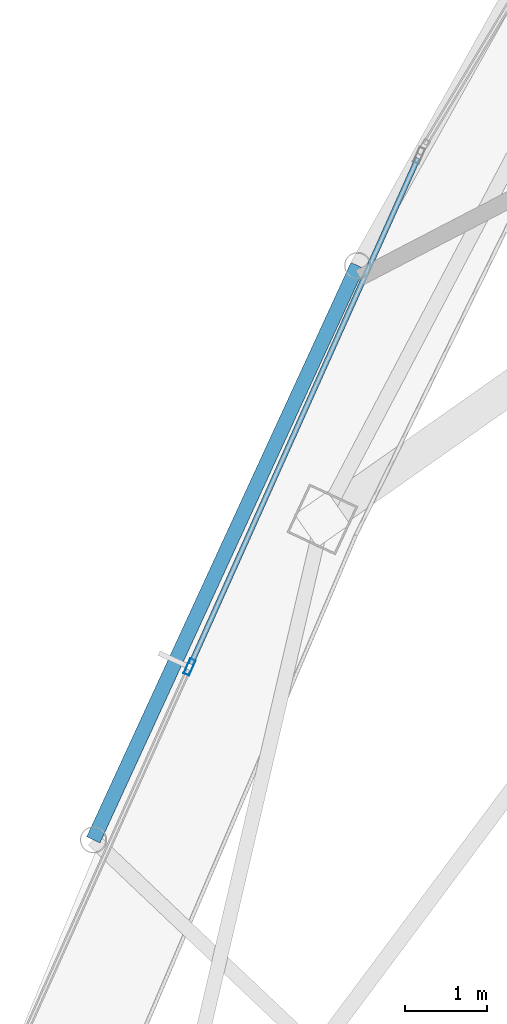
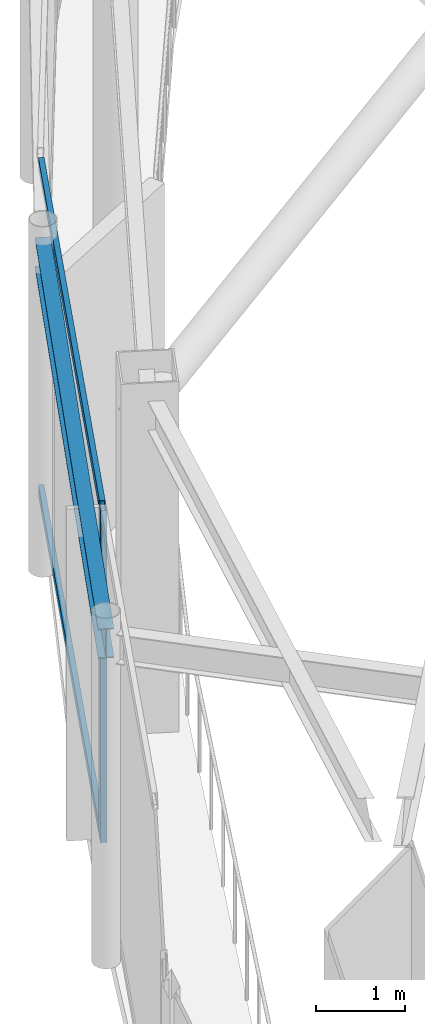
# One storey, part 4 of 20: 3 members, 1 beam, 1 element without a shape of its own.
"""IFC4 building model written with IfcOpenShell, lengths in metres."""

from ifc_helpers import new_model, si_unit, direction, frame, origin, origin_2d, place, context, subcontext, project, spatial, hollow_rectangle, i_section, extrude, material, layer, layer_set, material_profile, profile_set, type_object, element, aggregate, save


model = new_model("IFC4")

# Units and contexts
model_context = context("Model", 3, precision=1e-05, world=origin(), true_north=direction((0.0, 1.0)))
body_context = subcontext(model_context, "Body", "Model", "MODEL_VIEW")
ifc_project = project(units=[si_unit("LENGTHUNIT", "METRE"), si_unit("AREAUNIT", "SQUARE_METRE"), si_unit("VOLUMEUNIT", "CUBIC_METRE"), si_unit("PLANEANGLEUNIT", "RADIAN"), si_unit("MASSUNIT", "GRAM", prefix="KILO")], contexts=[model_context])

# Site, building, storey
site_placement = place(None, origin())
site = spatial("IfcSite", under=ifc_project, at=site_placement, CompositionType="ELEMENT")
building_placement = place(site_placement, origin())
building = spatial("IfcBuilding", under=site, at=building_placement, Name="Orvanel Arch Residences", CompositionType="ELEMENT")
storey_placement = place(building_placement, frame((0.0, 0.0, 305.300048828125)))
storey = spatial("IfcBuildingStorey", under=building, at=storey_placement, Name="L85", CompositionType="ELEMENT", Elevation=305.300048828125)

# Curtain wall, member
ifc_material_1 = material(Name="Bronze-anodised aluminium AA6063-T6", Category="aluminium")
ifc_layer = layer(ifc_material_1, 0.2099609375)
ifc_layer_set = layer_set([ifc_layer], Name="Bronze-anodised aluminium AA6063-T6")
curtain_wall_type = type_object("IfcCurtainWallType", Name="CW7-TOP-SYS", PredefinedType="NOTDEFINED", material=ifc_layer_set)
curtain_wall_placement = place(storey_placement, origin())
curtain_wall = element("IfcCurtainWall", 1, at=curtain_wall_placement, inside=storey, type_object=curtain_wall_type, Name="L85 CW7-TOP-SYS Unitised Curtain Wall", PredefinedType="NOTDEFINED")
ifc_material_profile_1 = material_profile(ifc_material_1, hollow_rectangle(XDim=0.074951171875, YDim=0.199951171875, WallThickness=0.0048828125, at=origin_2d()), Name="ALU200x75x5")
ifc_profile_set_1 = profile_set([ifc_material_profile_1], Name="Bronze-anodised aluminium AA6063-T6")
member_type_1 = type_object("IfcMemberType", Name="MUL-200x75", PredefinedType="MULLION", material=ifc_profile_set_1)
member_1_placement = place(storey_placement, frame((14.75, 17.845947265625, 0.0), z_axis=(0.0, 0.0, 1.0), x_axis=(0.912376147447, -0.40935286193, 0.0)))
member_1 = element("IfcMember", 2, at=member_1_placement, type_object=member_type_1, Name="CW-S7 mullion 2", PredefinedType="MULLION", context=body_context, shape_type="SweptSolid", body=[
    extrude(hollow_rectangle(XDim=0.074951171875, YDim=0.199951171875, WallThickness=0.0048828125, at=origin_2d()), origin(), (0.0, 0.0, 1.0), 4.550048828125),
])

# Beam
ifc_material_2 = material(Name="Structural steel AS/NZS 3679.1 Grade 300 (300 MPa)", Category="steel")
ifc_material_profile_2 = material_profile(ifc_material_2, i_section(OverallWidth=0.177978515625, OverallDepth=0.406005859375, WebThickness=0.0078125, FlangeThickness=0.0126953125, at=origin_2d()), Name="410UB59.7")
ifc_profile_set_2 = profile_set([ifc_material_profile_2], Name="Structural steel AS/NZS 3679.1 Grade 300 (300 MPa)")
beam_type = type_object("IfcBeamType", Name="OB-410UB-EXT", PredefinedType="SPANDREL", material=ifc_profile_set_2)
beam_placement = place(storey_placement, frame((16.794921875, 22.73388671875, 4.346923828125), z_axis=(-0.417937545069, -0.908475761054, 0.0), x_axis=(0.908475761054, -0.417937545069, 0.0)))
element("IfcBeam", 3, at=beam_placement, inside=storey, type_object=beam_type, Name="L85 Outer Perimeter Floor Ring Beam 03", PredefinedType="SPANDREL", context=body_context, shape_type="SweptSolid", body=[
    extrude(i_section(OverallWidth=0.177978515625, OverallDepth=0.406005859375, WebThickness=0.0078125, FlangeThickness=0.0126953125, at=origin_2d()), origin(), (0.0, 0.0, 1.0), 7.697509765625),
])

# Member
ifc_material_profile_3 = material_profile(ifc_material_1, hollow_rectangle(XDim=0.06494140625, YDim=0.14990234375, WallThickness=0.00390625, at=origin_2d()), Name="ALU150x65x4")
ifc_profile_set_3 = profile_set([ifc_material_profile_3], Name="Bronze-anodised aluminium AA6063-T6")
member_type_2 = type_object("IfcMemberType", Name="TRN-150x65", PredefinedType="USERDEFINED", material=ifc_profile_set_3)
member_2_placement = place(storey_placement, frame((17.529296875, 24.04052734375, 0.032470703125), z_axis=(-0.409346580659, -0.912378965618, 0.0), x_axis=(0.912378965618, -0.409346580659, 0.0)))
member_2 = element("IfcMember", 4, at=member_2_placement, type_object=member_type_2, Name="CW-S7 transom 1.1", ObjectType="TRANSOM", PredefinedType="USERDEFINED", context=body_context, shape_type="SweptSolid", body=[
    extrude(hollow_rectangle(XDim=0.06494140625, YDim=0.14990234375, WallThickness=0.00390625, at=origin_2d()), origin(), (0.0, 0.0, 1.0), 6.751953125),
])

member_3_placement = place(storey_placement, frame((17.529296875, 24.04052734375, 4.517333984375), z_axis=(-0.409346580659, -0.912378965618, 0.0), x_axis=(0.912378965618, -0.409346580659, 0.0)))
member_3 = element("IfcMember", 5, at=member_3_placement, type_object=member_type_2, Name="CW-S7 transom 1.2", ObjectType="TRANSOM", PredefinedType="USERDEFINED", context=body_context, shape_type="SweptSolid", body=[
    extrude(hollow_rectangle(XDim=0.06494140625, YDim=0.14990234375, WallThickness=0.00390625, at=origin_2d()), origin(), (0.0, 0.0, 1.0), 6.751953125),
])

aggregate(curtain_wall, [member_1, member_2, member_3])

save(model, "model.ifc")
